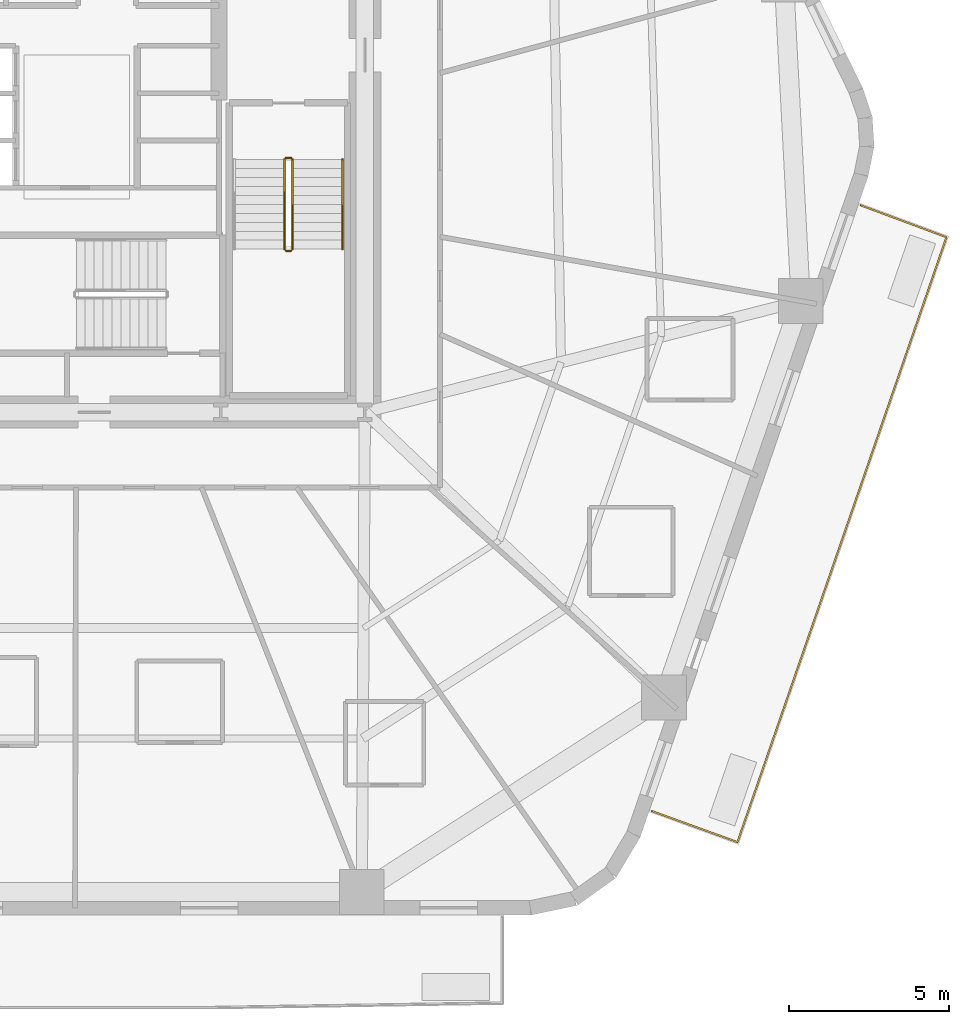
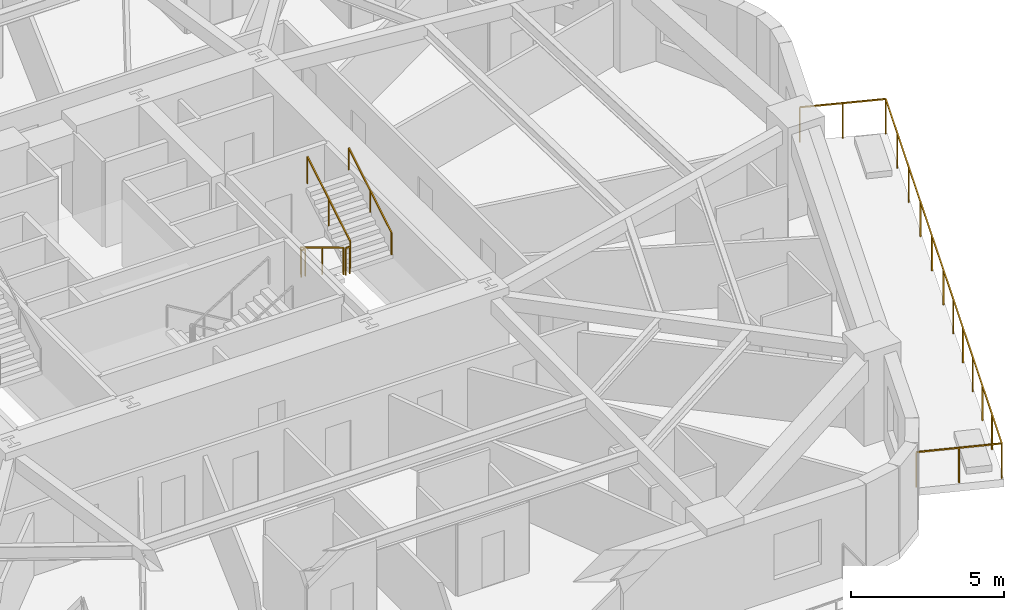
# One storey, part 10 of 11: 6 railings.
"""IFC4 building model written with IfcOpenShell, lengths in metres."""

from ifc_helpers import new_model, si_unit, direction, frame, origin, origin_2d, place, context, subcontext, project, spatial, rectangle, extrude, material, layer, layer_set, type_object, element, save


model = new_model("IFC4")

# Units and contexts
model_context = context("Model", 3, precision=1e-05, world=origin(), true_north=direction((0.0, 1.0)))
body_context = subcontext(model_context, "Body", "Model", "MODEL_VIEW")
ifc_project = project(units=[si_unit("LENGTHUNIT", "METRE"), si_unit("AREAUNIT", "SQUARE_METRE"), si_unit("VOLUMEUNIT", "CUBIC_METRE"), si_unit("PLANEANGLEUNIT", "RADIAN"), si_unit("MASSUNIT", "GRAM", prefix="KILO")], contexts=[model_context])

# Site, building, storey
site_placement = place(None, origin())
site = spatial("IfcSite", under=ifc_project, at=site_placement, CompositionType="ELEMENT")
building_placement = place(site_placement, origin())
building = spatial("IfcBuilding", under=site, at=building_placement, Name="Kilnhurst Terrace Hotel", CompositionType="ELEMENT")
storey_placement = place(building_placement, frame((0.0, 0.0, 41.60009765625)))
storey = spatial("IfcBuildingStorey", under=building, at=storey_placement, Name="L08", CompositionType="ELEMENT", Elevation=41.60009765625)

# Railings
ifc_material_1 = material(Name="Laminated SentryGlas and Stainless Steel AISI 316L Balustrade", Category="steel")
ifc_layer_1 = layer(ifc_material_1, 0.070068359375, Name="Laminated SentryGlas and Stainless Steel AISI 316L Balustrade")
ifc_layer_set_1 = layer_set([ifc_layer_1], Name="Laminated SentryGlas and Stainless Steel AISI 316L Balustrade")
railing_type_1 = type_object("IfcRailingType", Name="RLG-BAL-1420", PredefinedType="BALUSTRADE", material=ifc_layer_set_1)
railing_1_placement = place(storey_placement, frame((24.485107421875, -1.041748046875, 0.0)))
element("IfcRailing", 1, at=railing_1_placement, inside=storey, type_object=railing_type_1, Name="L08 Exterior Terrace Guardrail BAL-L1B.1", PredefinedType="BALUSTRADE", context=body_context, shape_type="SweptSolid", body=[
    extrude(rectangle(XDim=0.048095703125, YDim=0.048095703125, at=origin_2d()), frame((0.0, 0.0, 1.39599609375), z_axis=(0.937279097592, -0.348579823308, 0.0), x_axis=(0.348579823308, 0.937279097592, 0.0)), (0.0, 0.0, 1.0), 2.85205078125),
    extrude(rectangle(XDim=0.048095703125, YDim=0.048095703125, at=origin_2d()), frame((2.673095703125, -0.994140625, 1.39599609375), z_axis=(-0.326159116329, -0.945314884488, 0.0), x_axis=(0.945314884488, -0.326159116329, 0.0)), (0.0, 0.0, 1.0), 9.91650390625),
    extrude(rectangle(XDim=0.048095703125, YDim=0.048095703125, at=origin_2d()), frame((-0.561279296875, -10.368408203125, 1.39599609375), z_axis=(-0.326903959129, -0.945057565181, 0.0), x_axis=(0.945057565181, -0.326903959129, 0.0)), (0.0, 0.0, 1.0), 10.065673828125),
    extrude(rectangle(XDim=0.048095703125, YDim=0.048095703125, at=origin_2d()), frame((-3.851806640625, -19.881103515625, 1.39599609375), z_axis=(-0.939926315563, 0.341377388402, 0.0), x_axis=(-0.341377388402, -0.939926315563, 0.0)), (0.0, 0.0, 1.0), 2.84130859375),
    extrude(rectangle(XDim=0.0419921875, YDim=0.0419921875, at=origin_2d()), origin(), (0.0, 0.0, 1.0), 1.371826171875),
    extrude(rectangle(XDim=0.0419921875, YDim=0.0419921875, at=origin_2d()), frame((1.33642578125, -0.4970703125, 0.0)), (0.0, 0.0, 1.0), 1.371826171875),
    extrude(rectangle(XDim=0.0419921875, YDim=0.0419921875, at=origin_2d()), frame((2.673095703125, -0.994140625, 0.0)), (0.0, 0.0, 1.0), 1.371826171875),
    extrude(rectangle(XDim=0.0419921875, YDim=0.0419921875, at=origin_2d()), frame((2.026123046875, -2.868896484375, 0.0)), (0.0, 0.0, 1.0), 1.371826171875),
    extrude(rectangle(XDim=0.0419921875, YDim=0.0419921875, at=origin_2d()), frame((1.37939453125, -4.743896484375, 0.0)), (0.0, 0.0, 1.0), 1.371826171875),
    extrude(rectangle(XDim=0.0419921875, YDim=0.0419921875, at=origin_2d()), frame((0.732421875, -6.61865234375, 0.0)), (0.0, 0.0, 1.0), 1.371826171875),
    extrude(rectangle(XDim=0.0419921875, YDim=0.0419921875, at=origin_2d()), frame((0.085693359375, -8.49365234375, 0.0)), (0.0, 0.0, 1.0), 1.371826171875),
    extrude(rectangle(XDim=0.0419921875, YDim=0.0419921875, at=origin_2d()), frame((-0.561279296875, -10.368408203125, 0.0)), (0.0, 0.0, 1.0), 1.371826171875),
    extrude(rectangle(XDim=0.0419921875, YDim=0.0419921875, at=origin_2d()), frame((-1.109619140625, -11.953857421875, 0.0)), (0.0, 0.0, 1.0), 1.371826171875),
    extrude(rectangle(XDim=0.0419921875, YDim=0.0419921875, at=origin_2d()), frame((-1.658203125, -13.539306640625, 0.0)), (0.0, 0.0, 1.0), 1.371826171875),
    extrude(rectangle(XDim=0.0419921875, YDim=0.0419921875, at=origin_2d()), frame((-2.20654296875, -15.124755859375, 0.0)), (0.0, 0.0, 1.0), 1.371826171875),
    extrude(rectangle(XDim=0.0419921875, YDim=0.0419921875, at=origin_2d()), frame((-2.7548828125, -16.710205078125, 0.0)), (0.0, 0.0, 1.0), 1.371826171875),
    extrude(rectangle(XDim=0.0419921875, YDim=0.0419921875, at=origin_2d()), frame((-3.303466796875, -18.295654296875, 0.0)), (0.0, 0.0, 1.0), 1.371826171875),
    extrude(rectangle(XDim=0.0419921875, YDim=0.0419921875, at=origin_2d()), frame((-3.851806640625, -19.881103515625, 0.0)), (0.0, 0.0, 1.0), 1.371826171875),
    extrude(rectangle(XDim=0.0419921875, YDim=0.0419921875, at=origin_2d()), frame((-5.18701171875, -19.39599609375, 0.0)), (0.0, 0.0, 1.0), 1.371826171875),
    extrude(rectangle(XDim=0.0419921875, YDim=0.0419921875, at=origin_2d()), frame((-6.5224609375, -18.9111328125, 0.0)), (0.0, 0.0, 1.0), 1.371826171875),
])
ifc_material_2 = material(Name="Powder-Coated Steel ASTM A500 Grade B", Category="steel")
ifc_layer_2 = layer(ifc_material_2, 0.050048828125, Name="Powder-Coated Steel ASTM A500 Grade B")
ifc_layer_set_2 = layer_set([ifc_layer_2], Name="Powder-Coated Steel ASTM A500 Grade B")
railing_type_2 = type_object("IfcRailingType", Name="RLG-ST-GRD-1100", PredefinedType="GUARDRAIL", material=ifc_layer_set_2)
railing_2_placement = place(storey_placement, frame((6.489990234375, 0.389892578125, 0.16796875)))
element("IfcRailing", 2, at=railing_2_placement, inside=storey, type_object=railing_type_2, Name="L08 ST-2 stair guard 1", PredefinedType="GUARDRAIL", context=body_context, shape_type="SweptSolid", body=[
    extrude(rectangle(XDim=0.048095703125, YDim=0.048095703125, at=origin_2d()), frame((0.0, 0.0, 1.076171875), z_axis=(0.0, -0.857222391501, 0.514946377315), x_axis=(1.0, 0.0, 0.0)), (0.0, 0.0, 1.0), 3.26611328125),
    extrude(rectangle(XDim=0.0419921875, YDim=0.0419921875, at=origin_2d()), origin(), (0.0, 0.0, 1.0), 1.052001953125),
    extrude(rectangle(XDim=0.0419921875, YDim=0.0419921875, at=origin_2d()), frame((0.0, -1.39990234375, 0.8408203125)), (0.0, 0.0, 1.0), 1.052001953125),
    extrude(rectangle(XDim=0.0419921875, YDim=0.0419921875, at=origin_2d()), frame((0.0, -2.7998046875, 1.681884765625)), (0.0, 0.0, 1.0), 1.052001953125),
])
railing_3_placement = place(storey_placement, frame((6.5400390625, -2.4599609375, 1.849853515625)))
element("IfcRailing", 3, at=railing_3_placement, inside=storey, type_object=railing_type_2, Name="L08 ST-2 stair guard 2", PredefinedType="GUARDRAIL", context=body_context, shape_type="SweptSolid", body=[
    extrude(rectangle(XDim=0.048095703125, YDim=0.048095703125, at=origin_2d()), frame((0.0, 0.0, 1.076171875), z_axis=(1.0, 0.0, 0.0), x_axis=(0.0, 1.0, 0.0)), (0.0, 0.0, 1.0), 0.14990234375),
    extrude(rectangle(XDim=0.0419921875, YDim=0.0419921875, at=origin_2d()), origin(), (0.0, 0.0, 1.0), 1.052001953125),
    extrude(rectangle(XDim=0.0419921875, YDim=0.0419921875, at=origin_2d()), frame((0.14990234375, 0.0, 0.0)), (0.0, 0.0, 1.0), 1.052001953125),
])
railing_4_placement = place(storey_placement, frame((6.739990234375, -2.409912109375, 2.01806640625)))
element("IfcRailing", 4, at=railing_4_placement, inside=storey, type_object=railing_type_2, Name="L08 ST-2 stair guard 3", PredefinedType="GUARDRAIL", context=body_context, shape_type="SweptSolid", body=[
    extrude(rectangle(XDim=0.048095703125, YDim=0.048095703125, at=origin_2d()), frame((0.0, 0.0, 1.076171875), z_axis=(0.0, 0.857222391501, 0.514946377315), x_axis=(-1.0, 0.0, 0.0)), (0.0, 0.0, 1.0), 3.26611328125),
    extrude(rectangle(XDim=0.0419921875, YDim=0.0419921875, at=origin_2d()), origin(), (0.0, 0.0, 1.0), 1.052001953125),
    extrude(rectangle(XDim=0.0419921875, YDim=0.0419921875, at=origin_2d()), frame((0.0, 1.39990234375, 0.8408203125)), (0.0, 0.0, 1.0), 1.052001953125),
    extrude(rectangle(XDim=0.0419921875, YDim=0.0419921875, at=origin_2d()), frame((0.0, 2.7998046875, 1.681884765625)), (0.0, 0.0, 1.0), 1.052001953125),
])
railing_5_placement = place(storey_placement, frame((6.5400390625, 0.43994140625, 0.0)))
element("IfcRailing", 5, at=railing_5_placement, inside=storey, type_object=railing_type_2, Name="L08 ST-2 stair guard 4", PredefinedType="GUARDRAIL", context=body_context, shape_type="SweptSolid", body=[
    extrude(rectangle(XDim=0.048095703125, YDim=0.048095703125, at=origin_2d()), frame((0.0, 0.0, 1.076171875), z_axis=(1.0, 0.0, 0.0), x_axis=(0.0, 1.0, 0.0)), (0.0, 0.0, 1.0), 0.14990234375),
    extrude(rectangle(XDim=0.0419921875, YDim=0.0419921875, at=origin_2d()), origin(), (0.0, 0.0, 1.0), 1.052001953125),
    extrude(rectangle(XDim=0.0419921875, YDim=0.0419921875, at=origin_2d()), frame((0.14990234375, 0.0, 0.0)), (0.0, 0.0, 1.0), 1.052001953125),
])
ifc_material_3 = material(Name="Brushed Stainless Steel AISI 304", Category="steel")
ifc_layer_3 = layer(ifc_material_3, 0.048095703125, Name="Brushed Stainless Steel AISI 304")
ifc_layer_set_3 = layer_set([ifc_layer_3], Name="Brushed Stainless Steel AISI 304")
railing_type_3 = type_object("IfcRailingType", Name="RLG-ST-HRL-900", PredefinedType="HANDRAIL", material=ifc_layer_set_3)
railing_6_placement = place(storey_placement, frame((8.300048828125, -2.409912109375, 2.01806640625)))
element("IfcRailing", 6, at=railing_6_placement, inside=storey, type_object=railing_type_3, Name="L08 ST-2 stair handrail 2", PredefinedType="HANDRAIL", context=body_context, shape_type="SweptSolid", body=[
    extrude(rectangle(XDim=0.048095703125, YDim=0.048095703125, at=origin_2d()), frame((0.0, 0.0, 0.8759765625), z_axis=(0.0, 0.857222391501, 0.514946377315), x_axis=(-1.0, 0.0, 0.0)), (0.0, 0.0, 1.0), 3.26611328125),
    extrude(rectangle(XDim=0.0419921875, YDim=0.0419921875, at=origin_2d()), origin(), (0.0, 0.0, 1.0), 0.851806640625),
    extrude(rectangle(XDim=0.0419921875, YDim=0.0419921875, at=origin_2d()), frame((0.0, 1.39990234375, 0.8408203125)), (0.0, 0.0, 1.0), 0.851806640625),
    extrude(rectangle(XDim=0.0419921875, YDim=0.0419921875, at=origin_2d()), frame((0.0, 2.7998046875, 1.681884765625)), (0.0, 0.0, 1.0), 0.851806640625),
])

save(model, "model.ifc")
